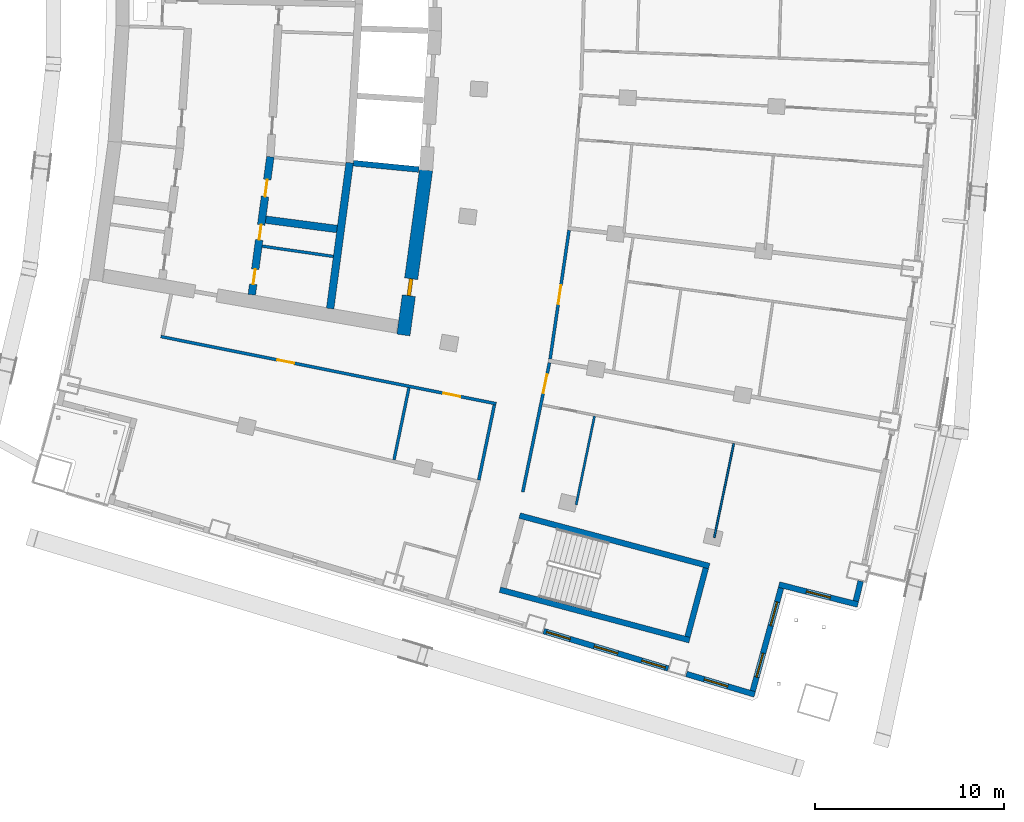
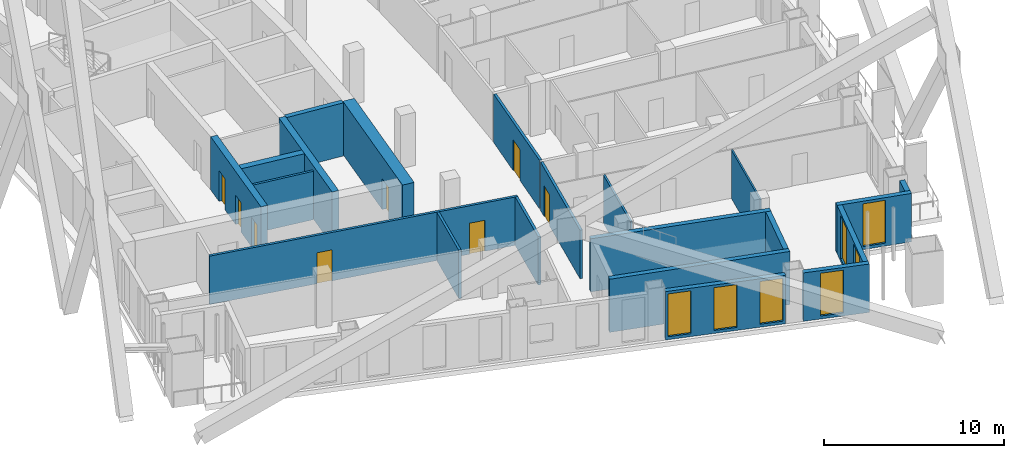
# One storey, part 12 of 22: 21 walls, 8 doors, 7 windows, 15 openings.
"""IFC4 building model written with IfcOpenShell, lengths in metres."""

import ifcopenshell
import ifcopenshell.guid

model = None  # the IFC model being written
_history = None  # IfcOwnerHistory: only IFC2X3 demands one
_inside = {}  # id of a spatial element -> (the spatial element, [elements in it])
_under = {}  # id of a project, library or spatial element -> (it, [spatial elements below it])
_declared = {}  # id of a project -> (the project, [libraries it declares])
_typed = {}  # id of a type object -> (the type object, [elements of that type])
_made_of = {}  # id of a material, layer set ... -> (it, [elements and type objects made of it])


def new_model(schema):
    """Start an empty IFC model of exactly this schema.

    Asked for "IFC4X3", IfcOpenShell would pick the latest addendum, in which some entities
    have other attributes; the version numbers below select the first issue.
    IFC2X3 requires an IfcOwnerHistory on every rooted entity: one is made here for all.
    """
    global model, _history
    if schema == "IFC4X3":
        model = ifcopenshell.file(schema_version=(4, 3, 0, 0))
    else:
        model = ifcopenshell.file(schema=schema)
    _inside.clear()
    _under.clear()
    _declared.clear()
    _typed.clear()
    _made_of.clear()
    _history = None
    if model.schema == "IFC2X3":
        org = make("IfcOrganization", Name="unknown")
        user = make(
            "IfcPersonAndOrganization",
            ThePerson=make("IfcPerson", FamilyName="unknown"),
            TheOrganization=org,
        )
        app = make(
            "IfcApplication",
            ApplicationDeveloper=org,
            Version="unknown",
            ApplicationFullName="unknown",
            ApplicationIdentifier="unknown",
        )
        _history = make(
            "IfcOwnerHistory",
            OwningUser=user,
            OwningApplication=app,
            ChangeAction="ADDED",
            CreationDate=0,
        )
    return model


def make(cls, **values):
    """One entity of the class cls with the attributes given. An attribute that is None is left unset."""
    return model.create_entity(
        cls, **{name: value for name, value in values.items() if value is not None}
    )


def rooted(cls, **values):
    """An entity with a GlobalId (a new one), such as an element, a storey or a relation."""
    return make(cls, GlobalId=ifcopenshell.guid.new(), OwnerHistory=_history, **values)


def si_unit(unit_type, name, prefix=None):
    """IfcSIUnit, for example si_unit("LENGTHUNIT", "METRE", prefix="MILLI")."""
    return make("IfcSIUnit", UnitType=unit_type, Prefix=prefix, Name=name)


def assignment(units):
    """IfcUnitAssignment: the units of a project."""
    return None if units is None else make("IfcUnitAssignment", Units=units)


def point(xyz):
    """IfcCartesianPoint."""
    return None if xyz is None else make("IfcCartesianPoint", Coordinates=xyz)


def direction(xyz):
    """IfcDirection."""
    return None if xyz is None else make("IfcDirection", DirectionRatios=xyz)


def frame(location, z_axis=None, x_axis=None):
    """IfcAxis2Placement3D, a coordinate frame: its origin and axes. An axis left out is left unset."""
    return make(
        "IfcAxis2Placement3D",
        Location=point(location),
        Axis=direction(z_axis),
        RefDirection=direction(x_axis),
    )


def frame_2d(location, x_axis=None):
    """IfcAxis2Placement2D, a coordinate frame in the plane: its origin and x axis."""
    return make(
        "IfcAxis2Placement2D", Location=point(location), RefDirection=direction(x_axis)
    )


def origin():
    """The frame at (0, 0, 0) with its axes left unset."""
    return frame((0.0, 0.0, 0.0))


def place(relative_to, where):
    """IfcLocalPlacement: puts the frame where relative to a parent placement (None: the world)."""
    return make(
        "IfcLocalPlacement", PlacementRelTo=relative_to, RelativePlacement=where
    )


def context(
    kind, dimensions, precision=None, world=None, true_north=None, identifier=None
):
    """IfcGeometricRepresentationContext, for example the 3D "Model" context."""
    return make(
        "IfcGeometricRepresentationContext",
        ContextIdentifier=identifier,
        ContextType=kind,
        CoordinateSpaceDimension=dimensions,
        Precision=precision,
        WorldCoordinateSystem=world,
        TrueNorth=true_north,
    )


def subcontext(parent, identifier, kind, view, scale=None):
    """IfcGeometricRepresentationSubContext, for example "Body" below "Model"."""
    return make(
        "IfcGeometricRepresentationSubContext",
        ContextIdentifier=identifier,
        ContextType=kind,
        ParentContext=parent,
        TargetScale=scale,
        TargetView=view,
    )


def project(units=None, contexts=None):
    """IfcProject with its units and contexts."""
    return rooted(
        "IfcProject",
        Name="project",
        RepresentationContexts=contexts,
        UnitsInContext=assignment(units),
    )


def spatial(cls, under=None, at=None, **own):
    """A site, building, storey or space (cls), placed at a placement, below another one or the project."""
    s = rooted(cls, ObjectPlacement=at, **own)
    if under is not None:
        _under.setdefault(under.id(), (under, []))[1].append(s)
    return s


def profile(cls, at=None, kind="AREA", **sizes):
    """A parametric profile (cls). Its sizes go by their IFC names, for example OverallWidth=200.0."""
    return make(cls, ProfileType=kind, Position=at, **sizes)


def rectangle(**sizes):
    """IfcRectangleProfileDef."""
    return profile("IfcRectangleProfileDef", **sizes)


def extrude(swept, where, along, depth):
    """IfcExtrudedAreaSolid: the profile swept, set in the frame where, extruded along a direction by depth."""
    return make(
        "IfcExtrudedAreaSolid",
        SweptArea=swept,
        Position=where,
        ExtrudedDirection=direction(along),
        Depth=depth,
    )


def shape(context_of_items, identifier, shape_type, items):
    """IfcShapeRepresentation: the items that make up one representation, for example the "Body"."""
    return make(
        "IfcShapeRepresentation",
        ContextOfItems=context_of_items,
        RepresentationIdentifier=identifier,
        RepresentationType=shape_type,
        Items=items,
    )


def material(Name=None, Category=None):
    """IfcMaterial."""
    return make("IfcMaterial", Name=Name, Category=Category)


def layer(
    of_material, thickness, ventilated=None, Name=None, Category=None, Priority=None
):
    """IfcMaterialLayer: one layer of a wall or slab, of a material (None: an air gap)."""
    return make(
        "IfcMaterialLayer",
        Material=of_material,
        LayerThickness=thickness,
        IsVentilated=ventilated,
        Name=Name,
        Category=Category,
        Priority=Priority,
    )


def layer_set(layers, Name=None):
    """IfcMaterialLayerSet."""
    return make("IfcMaterialLayerSet", MaterialLayers=layers, LayerSetName=Name)


def made_of(thing, what):
    """Note that an element or type object is made of a material, layer set ...; save() writes the relation."""
    if what is not None:
        _made_of.setdefault(what.id(), (what, []))[1].append(thing)
    return thing


def type_object(cls, material=None, **own):
    """A type object (cls), such as IfcWallType, which elements share."""
    return made_of(rooted(cls, **own), material)


def element(
    cls,
    number,
    at=None,
    inside=None,
    cuts=None,
    type_object=None,
    material=None,
    context=None,
    identifier="Body",
    shape_type=None,
    held_by="IfcProductDefinitionShape",
    body=None,
    shapes=None,
    **own,
):
    """One element of the class cls, such as IfcWall. Its Tag is "e" and its number.

    at: its placement. inside: the storey or other place that contains it. cuts: it is an
    opening in that element (IfcRelVoidsElement). A single representation is given by context,
    identifier, shape_type and body (its items); several are given by shapes. held_by: the class
    of the entity that holds the representations. save() writes the other relations.
    """
    e = rooted(cls, Tag="e%d" % number, ObjectPlacement=at, **own)
    if body is not None:
        shapes = [shape(context, identifier, shape_type, body)]
    if shapes is not None:
        e.Representation = make(held_by, Representations=shapes)
    if inside is not None:
        _inside.setdefault(inside.id(), (inside, []))[1].append(e)
    if cuts is not None:
        rooted(
            "IfcRelVoidsElement", RelatingBuildingElement=cuts, RelatedOpeningElement=e
        )
    if type_object is not None:
        _typed.setdefault(type_object.id(), (type_object, []))[1].append(e)
    return made_of(e, material)


def fill(opening, filler):
    """IfcRelFillsElement: the door or window that sits in an opening."""
    return rooted(
        "IfcRelFillsElement",
        RelatingOpeningElement=opening,
        RelatedBuildingElement=filler,
    )


def aggregate(whole, parts):
    """IfcRelAggregates: a whole, such as a stair, and the parts it consists of."""
    return rooted("IfcRelAggregates", RelatingObject=whole, RelatedObjects=parts)


def save(model, path):
    """Write the relations noted so far, then the file.

    IfcRelAggregates (storeys below a building ...), IfcRelContainedInSpatialStructure (elements
    in a storey), IfcRelDefinesByType, IfcRelAssociatesMaterial and IfcRelDeclares: one each for
    every whole, place, type object, material and project.
    """
    for whole, parts in _under.values():
        aggregate(whole, parts)
    for where, things in _inside.values():
        rooted(
            "IfcRelContainedInSpatialStructure",
            RelatedElements=things,
            RelatingStructure=where,
        )
    for kind, things in _typed.values():
        rooted("IfcRelDefinesByType", RelatedObjects=things, RelatingType=kind)
    for what, things in _made_of.values():
        rooted("IfcRelAssociatesMaterial", RelatedObjects=things, RelatingMaterial=what)
    for by, libraries in _declared.values():
        rooted("IfcRelDeclares", RelatingContext=by, RelatedDefinitions=libraries)
    model.write(path)


model = new_model("IFC4")

# Units and contexts
model_context = context("Model", 3, precision=1e-05, world=origin(), true_north=direction((0.0, 1.0)))
body_context = subcontext(model_context, "Body", "Model", "MODEL_VIEW")
ifc_project = project(units=[si_unit("LENGTHUNIT", "METRE"), si_unit("AREAUNIT", "SQUARE_METRE"), si_unit("VOLUMEUNIT", "CUBIC_METRE"), si_unit("PLANEANGLEUNIT", "RADIAN"), si_unit("MASSUNIT", "GRAM", prefix="KILO")], contexts=[model_context])

# Site, building, storey
site_placement = place(None, origin())
site = spatial("IfcSite", under=ifc_project, at=site_placement, CompositionType="ELEMENT")
building_placement = place(site_placement, origin())
building = spatial("IfcBuilding", under=site, at=building_placement, Name="Alderwake Tower", CompositionType="ELEMENT")
storey_placement = place(building_placement, frame((0.0, 0.0, 160.39990234375)))
storey = spatial("IfcBuildingStorey", under=building, at=storey_placement, Name="L39", CompositionType="ELEMENT", Elevation=160.39990234375)

# Wall
ifc_material_1 = material(Name="Gypsum shaft wall system, rated")
ifc_layer_1 = layer(ifc_material_1, 0.14990234375)
ifc_layer_set_1 = layer_set([ifc_layer_1], Name="Core room partition 150")
wall_type_1 = type_object("IfcWallType", Name="Core room partition 150", PredefinedType="PARTITIONING", material=ifc_layer_set_1)
wall_1_placement = place(storey_placement, frame((24.160400390625, 45.95556640625, 0.0), z_axis=(0.0, 0.0, 1.0), x_axis=(0.989733513529, -0.142925057975, 0.0)))
element("IfcWall", 1, at=wall_1_placement, inside=storey, type_object=wall_type_1, Name="CW/L39/PR-150_+86", PredefinedType="PARTITIONING", context=body_context, shape_type="SweptSolid", body=[
    extrude(rectangle(XDim=3.795654296875, YDim=0.14990234375, at=frame_2d((1.89794921875, 0.0))), origin(), (0.0, 0.0, 1.0), 3.280029296875),
])

# Wall, opening, door
ifc_material_2 = material(Name="Concrete C70/85", Category="concrete")
ifc_layer_2 = layer(ifc_material_2, 0.699951171875)
ifc_layer_set_2 = layer_set([ifc_layer_2], Name="Core wall outer 700 C70-85")
wall_type_2 = type_object("IfcWallType", Name="Core wall outer 700 C70-85", PredefinedType="SHEAR", material=ifc_layer_set_2)
wall_2_placement = place(storey_placement, frame((32.81298828125, 49.97412109375, 0.0), z_axis=(0.0, 0.0, 1.0), x_axis=(-0.135835706655, -0.99073137671, 0.0)))
wall_2 = element("IfcWall", 2, at=wall_2_placement, inside=storey, type_object=wall_type_2, Name="Core wall CW.012", PredefinedType="SHEAR", context=body_context, shape_type="SweptSolid", body=[
    extrude(rectangle(XDim=8.790771484375, YDim=0.699951171875, at=frame_2d((4.3955078125, 0.0))), origin(), (0.0, 0.0, 1.0), 3.60009765625),
])
opening_1_placement = place(wall_2_placement, frame((5.79443359375, 0.0, 0.0)))
opening_1 = element("IfcOpeningElement", 3, at=opening_1_placement, cuts=wall_2, Name="Opening C060", PredefinedType="OPENING", context=body_context, shape_type="SweptSolid", body=[
    extrude(rectangle(XDim=0.89990234375, YDim=2.10009765625, at=frame_2d((0.449951171875, 1.050048828125))), frame((0.0, 0.35986328125, 0.0), z_axis=(0.0, -1.0, 0.0), x_axis=(1.0, 0.0, 0.0)), (0.0, 0.0, 1.0), 0.719970703125),
])
ifc_material_3 = material(Name="Painted steel leaf", Category="steel")
door_type_1 = type_object("IfcDoorType", Name="Core room door 900", OperationType="SINGLE_SWING_LEFT", PredefinedType="DOOR", material=ifc_material_3)
door_1_placement = place(opening_1_placement, origin())
door_1 = element("IfcDoor", 4, at=door_1_placement, inside=storey, type_object=door_type_1, Name="Room door", OperationType="SINGLE_SWING_RIGHT", OverallHeight=2.10009765625, OverallWidth=0.89990234375, PredefinedType="DOOR", context=body_context, shape_type="SweptSolid", body=[
    extrude(rectangle(XDim=0.89990234375, YDim=2.10009765625, at=frame_2d((0.449951171875, 1.050048828125))), frame((0.0, 0.10009765625, 0.0), z_axis=(0.0, -1.0, 0.0), x_axis=(1.0, 0.0, 0.0)), (0.0, 0.0, 1.0), 0.199951171875),
])
fill(opening_1, door_1)

# Wall
ifc_material_4 = material(Name="Concrete C70/85", Category="concrete")
ifc_layer_3 = layer(ifc_material_4, 0.300048828125)
ifc_layer_set_3 = layer_set([ifc_layer_3], Name="Core wall shaft 300 C70-85")
wall_type_3 = type_object("IfcWallType", Name="Core wall shaft 300 C70-85", PredefinedType="SHEAR", material=ifc_layer_set_3)
wall_3_placement = place(storey_placement, frame((28.9794921875, 50.336181640625, 0.0), z_axis=(0.0, 0.0, 1.0), x_axis=(0.995247396058, -0.097378748402, 0.0)))
element("IfcWall", 5, at=wall_3_placement, inside=storey, type_object=wall_type_3, Name="Core wall CW.064", PredefinedType="SHEAR", context=body_context, shape_type="SweptSolid", body=[
    extrude(rectangle(XDim=3.469970703125, YDim=0.300048828125, at=frame_2d((1.73486328125, 0.0))), origin(), (0.0, 0.0, 1.0), 3.60009765625),
])

# Wall, openings, doors
ifc_material_5 = material(Name="Concrete C70/85", Category="concrete")
ifc_layer_4 = layer(ifc_material_5, 0.39990234375)
ifc_layer_set_4 = layer_set([ifc_layer_4], Name="Core wall spine 400 C70-85")
wall_type_4 = type_object("IfcWallType", Name="Core wall spine 400 C70-85", PredefinedType="SHEAR", material=ifc_layer_set_4)
wall_4_placement = place(storey_placement, frame((23.6142578125, 43.390869140625, 0.0), z_axis=(0.0, 0.0, 1.0), x_axis=(0.133023466616, 0.991112888287, 0.0)))
wall_4 = element("IfcWall", 6, at=wall_4_placement, inside=storey, type_object=wall_type_4, Name="Core wall CW.047", PredefinedType="SHEAR", context=body_context, shape_type="SweptSolid", body=[
    extrude(rectangle(XDim=7.3466796875, YDim=0.39990234375, at=frame_2d((3.67333984375, 0.0))), origin(), (0.0, 0.0, 1.0), 3.60009765625),
])
opening_2_placement = place(wall_4_placement, frame((0.557861328125, 0.0, 0.0)))
opening_2 = element("IfcOpeningElement", 7, at=opening_2_placement, cuts=wall_4, Name="Opening C015", PredefinedType="OPENING", context=body_context, shape_type="SweptSolid", body=[
    extrude(rectangle(XDim=0.800048828125, YDim=2.0, at=frame_2d((0.39990234375, 1.0))), frame((0.0, 0.2099609375, 0.0), z_axis=(0.0, -1.0, 0.0), x_axis=(1.0, 0.0, 0.0)), (0.0, 0.0, 1.0), 0.419921875),
])
opening_3_placement = place(wall_4_placement, frame((2.91943359375, 0.0, 0.0)))
opening_3 = element("IfcOpeningElement", 8, at=opening_3_placement, cuts=wall_4, Name="Opening C019", PredefinedType="OPENING", context=body_context, shape_type="SweptSolid", body=[
    extrude(rectangle(XDim=0.800048828125, YDim=2.0, at=frame_2d((0.39990234375, 1.0))), frame((0.0, 0.2099609375, 0.0), z_axis=(0.0, -1.0, 0.0), x_axis=(1.0, 0.0, 0.0)), (0.0, 0.0, 1.0), 0.419921875),
])
opening_4_placement = place(wall_4_placement, frame((5.231201171875, 0.0, 0.0)))
opening_4 = element("IfcOpeningElement", 9, at=opening_4_placement, cuts=wall_4, Name="Opening C045", PredefinedType="OPENING", context=body_context, shape_type="SweptSolid", body=[
    extrude(rectangle(XDim=0.89990234375, YDim=2.10009765625, at=frame_2d((0.449951171875, 1.050048828125))), frame((0.0, 0.2099609375, 0.0), z_axis=(0.0, -1.0, 0.0), x_axis=(1.0, 0.0, 0.0)), (0.0, 0.0, 1.0), 0.419921875),
])
door_2_placement = place(opening_4_placement, origin())
door_2 = element("IfcDoor", 10, at=door_2_placement, inside=storey, type_object=door_type_1, Name="Room door", OperationType="SINGLE_SWING_LEFT", OverallHeight=2.10009765625, OverallWidth=0.89990234375, PredefinedType="DOOR", context=body_context, shape_type="SweptSolid", body=[
    extrude(rectangle(XDim=0.89990234375, YDim=2.10009765625, at=frame_2d((0.449951171875, 1.050048828125))), frame((0.0, 0.02490234375, 0.0), z_axis=(0.0, -1.0, 0.0), x_axis=(1.0, 0.0, 0.0)), (0.0, 0.0, 1.0), 0.050048828125),
])
fill(opening_4, door_2)
ifc_material_6 = material(Name="Painted steel leaf, rated", Category="steel")
door_type_2 = type_object("IfcDoorType", Name="Riser access door 800", OperationType="SINGLE_SWING_LEFT", PredefinedType="DOOR", material=ifc_material_6)
door_3_placement = place(opening_2_placement, origin())
door_3 = element("IfcDoor", 11, at=door_3_placement, inside=storey, type_object=door_type_2, Name="Riser access door", OperationType="SINGLE_SWING_LEFT", OverallHeight=2.0, OverallWidth=0.800048828125, PredefinedType="DOOR", context=body_context, shape_type="SweptSolid", body=[
    extrude(rectangle(XDim=0.800048828125, YDim=2.0, at=frame_2d((0.39990234375, 1.0))), frame((0.0, 0.02490234375, 0.0), z_axis=(0.0, -1.0, 0.0), x_axis=(1.0, 0.0, 0.0)), (0.0, 0.0, 1.0), 0.050048828125),
])
fill(opening_2, door_3)
door_4_placement = place(opening_3_placement, origin())
door_4 = element("IfcDoor", 12, at=door_4_placement, inside=storey, type_object=door_type_2, Name="Riser access door", OperationType="SINGLE_SWING_RIGHT", OverallHeight=2.0, OverallWidth=0.800048828125, PredefinedType="DOOR", context=body_context, shape_type="SweptSolid", body=[
    extrude(rectangle(XDim=0.800048828125, YDim=2.0, at=frame_2d((0.39990234375, 1.0))), frame((0.0, 0.02490234375, 0.0), z_axis=(0.0, -1.0, 0.0), x_axis=(1.0, 0.0, 0.0)), (0.0, 0.0, 1.0), 0.050048828125),
])
fill(opening_3, door_4)

# Walls
wall_5_placement = place(storey_placement, frame((27.750244140625, 42.65966796875, 0.0), z_axis=(0.0, 0.0, 1.0), x_axis=(0.132678066825, 0.991159185289, 0.0)))
element("IfcWall", 13, at=wall_5_placement, inside=storey, type_object=wall_type_4, Name="Core wall CW.006", PredefinedType="SHEAR", context=body_context, shape_type="SweptSolid", body=[
    extrude(rectangle(XDim=7.7724609375, YDim=0.39990234375, at=frame_2d((3.88623046875, 0.0))), origin(), (0.0, 0.0, 1.0), 3.60009765625),
])
wall_6_placement = place(storey_placement, frame((24.347900390625, 47.35205078125, 0.0), z_axis=(0.0, 0.0, 1.0), x_axis=(0.991552989286, -0.12970223374, 0.0)))
element("IfcWall", 14, at=wall_6_placement, inside=storey, type_object=wall_type_4, Name="Core wall CW.069", PredefinedType="SHEAR", context=body_context, shape_type="SweptSolid", body=[
    extrude(rectangle(XDim=3.794677734375, YDim=0.39990234375, at=frame_2d((1.8974609375, 0.0))), origin(), (0.0, 0.0, 1.0), 3.60009765625),
])
ifc_material_7 = material(Name="Concrete C70/85", Category="concrete")
ifc_layer_5 = layer(ifc_material_7, 0.300048828125)
ifc_layer_set_5 = layer_set([ifc_layer_5], Name="Core wall stair enclosure 300 C70-85")
wall_type_5 = type_object("IfcWallType", Name="Core wall stair enclosure 300 C70-85", PredefinedType="SHEAR", material=ifc_layer_set_5)
for number, where, z_axis, x_axis, name in (
    (15, (37.75390625, 31.731201171875, 0.0), (0.0, 0.0, 1.0), (0.966309214305, -0.257383958996, 0.0), "Core wall CW.086"),
    (16, (36.71142578125, 27.817626953125, 0.0), (0.0, 0.0, 1.0), (0.966309214305, -0.257383958996, 0.0), "Core wall CW.088"),
):
    element("IfcWall", number, at=place(storey_placement, frame(where, z_axis=z_axis, x_axis=x_axis)), inside=storey, type_object=wall_type_5, Name=name, PredefinedType="SHEAR", context=body_context, shape_type="SweptSolid", body=[
        extrude(rectangle(XDim=10.360107421875, YDim=0.300048828125, at=frame_2d((5.18017578125, 0.0))), origin(), (0.0, 0.0, 1.0), 3.60009765625),
    ])
wall_7_placement = place(storey_placement, frame((46.6162109375, 25.334716796875, 0.0), z_axis=(0.0, 0.0, 1.0), x_axis=(0.257366821694, 0.966313778796, 0.0)))
element("IfcWall", 17, at=wall_7_placement, inside=storey, type_object=wall_type_5, Name="Core wall CW.085", PredefinedType="SHEAR", context=body_context, shape_type="SweptSolid", body=[
    extrude(rectangle(XDim=3.749755859375, YDim=0.300048828125, at=frame_2d((1.875, 0.0))), origin(), (0.0, 0.0, 1.0), 3.60009765625),
])

# Wall, openings, doors
ifc_material_8 = material(Name="Gypsum board on metal studs, rated")
ifc_layer_6 = layer(ifc_material_8, 0.159912109375)
ifc_layer_set_6 = layer_set([ifc_layer_6], Name="Corridor wall 160")
wall_type_6 = type_object("IfcWallType", Name="Corridor wall 160", PredefinedType="PARTITIONING", material=ifc_layer_set_6)
wall_8_placement = place(storey_placement, frame((36.513427734375, 37.63427734375, 0.0), z_axis=(0.0, 0.0, 1.0), x_axis=(-0.980470254867, 0.1966674333, 0.0)))
wall_8 = element("IfcWall", 18, at=wall_8_placement, inside=storey, type_object=wall_type_6, Name="WL/L39/W12", PredefinedType="PARTITIONING", context=body_context, shape_type="SweptSolid", body=[
    extrude(rectangle(XDim=18.053466796875, YDim=0.159912109375, at=frame_2d((9.02685546875, 0.0))), origin(), (0.0, 0.0, 1.0), 3.280029296875),
])
opening_5_placement = place(wall_8_placement, frame((10.876708984375, 0.0, 0.0)))
opening_5 = element("IfcOpeningElement", 19, at=opening_5_placement, cuts=wall_8, Name="Opening R11-SBS1", PredefinedType="OPENING", context=body_context, shape_type="SweptSolid", body=[
    extrude(rectangle(XDim=0.89990234375, YDim=2.10009765625, at=frame_2d((0.449951171875, 1.050048828125))), frame((0.0, 0.08984375, 0.0), z_axis=(0.0, -1.0, 0.0), x_axis=(1.0, 0.0, 0.0)), (0.0, 0.0, 1.0), 0.179931640625),
])
opening_6_placement = place(wall_8_placement, frame((1.9306640625, 0.0, 0.0)))
opening_6 = element("IfcOpeningElement", 20, at=opening_6_placement, cuts=wall_8, Name="Opening R11-SBS2", PredefinedType="OPENING", context=body_context, shape_type="SweptSolid", body=[
    extrude(rectangle(XDim=0.89990234375, YDim=2.10009765625, at=frame_2d((0.449951171875, 1.050048828125))), frame((0.0, 0.08984375, 0.0), z_axis=(0.0, -1.0, 0.0), x_axis=(1.0, 0.0, 0.0)), (0.0, 0.0, 1.0), 0.179931640625),
])
ifc_material_9 = material(Name="Painted timber leaf", Category="wood")
door_type_3 = type_object("IfcDoorType", Name="Room door 900", OperationType="SINGLE_SWING_LEFT", PredefinedType="DOOR", material=ifc_material_9)
door_5_placement = place(opening_5_placement, origin())
door_5 = element("IfcDoor", 21, at=door_5_placement, inside=storey, type_object=door_type_3, Name="DR/L39/SBS1", OperationType="SINGLE_SWING_LEFT", OverallHeight=2.10009765625, OverallWidth=0.89990234375, PredefinedType="DOOR", context=body_context, shape_type="SweptSolid", body=[
    extrude(rectangle(XDim=0.89990234375, YDim=2.10009765625, at=frame_2d((0.449951171875, 1.050048828125))), frame((0.0, 0.02490234375, 0.0), z_axis=(0.0, -1.0, 0.0), x_axis=(1.0, 0.0, 0.0)), (0.0, 0.0, 1.0), 0.050048828125),
])
fill(opening_5, door_5)
door_6_placement = place(opening_6_placement, origin())
door_6 = element("IfcDoor", 22, at=door_6_placement, inside=storey, type_object=door_type_3, Name="DR/L39/SBS2", OperationType="SINGLE_SWING_LEFT", OverallHeight=2.10009765625, OverallWidth=0.89990234375, PredefinedType="DOOR", context=body_context, shape_type="SweptSolid", body=[
    extrude(rectangle(XDim=0.89990234375, YDim=2.10009765625, at=frame_2d((0.449951171875, 1.050048828125))), frame((0.0, 0.02490234375, 0.0), z_axis=(0.0, -1.0, 0.0), x_axis=(1.0, 0.0, 0.0)), (0.0, 0.0, 1.0), 0.050048828125),
])
fill(opening_6, door_6)

# Wall
wall_9_placement = place(storey_placement, frame((36.418701171875, 37.57177734375, 0.0), z_axis=(0.0, 0.0, 1.0), x_axis=(-0.203245920818, -0.979127721838, 0.0)))
element("IfcWall", 23, at=wall_9_placement, inside=storey, type_object=wall_type_6, Name="WL/L39/W18", PredefinedType="PARTITIONING", context=body_context, shape_type="SweptSolid", body=[
    extrude(rectangle(XDim=4.046875, YDim=0.159912109375, at=frame_2d((2.0234375, 0.0))), origin(), (0.0, 0.0, 1.0), 3.280029296875),
])

# Wall, opening, door
wall_10_placement = place(storey_placement, frame((39.32763671875, 39.799072265625, 0.0), z_axis=(0.0, 0.0, 1.0), x_axis=(-0.202466556983, -0.979289177569, 0.0)))
wall_10 = element("IfcWall", 24, at=wall_10_placement, inside=storey, type_object=wall_type_6, Name="WL/L39/W20", PredefinedType="PARTITIONING", context=body_context, shape_type="SweptSolid", body=[
    extrude(rectangle(XDim=6.96728515625, YDim=0.159912109375, at=frame_2d((3.483642578125, 0.0))), origin(), (0.0, 0.0, 1.0), 3.280029296875),
])
opening_7_placement = place(wall_10_placement, frame((0.62744140625, 0.0, 0.0)))
opening_7 = element("IfcOpeningElement", 25, at=opening_7_placement, cuts=wall_10, Name="Opening R11-U03.2", PredefinedType="OPENING", context=body_context, shape_type="SweptSolid", body=[
    extrude(rectangle(XDim=1.0, YDim=2.10009765625, at=frame_2d((0.5, 1.050048828125))), frame((0.0, 0.08984375, 0.0), z_axis=(0.0, -1.0, 0.0), x_axis=(1.0, 0.0, 0.0)), (0.0, 0.0, 1.0), 0.179931640625),
])
ifc_material_10 = material(Name="Solid timber leaf in steel frame", Category="steel")
door_type_4 = type_object("IfcDoorType", Name="Flat entrance door 1000 fire-rated", OperationType="SINGLE_SWING_LEFT", PredefinedType="DOOR", material=ifc_material_10)
door_7_placement = place(opening_7_placement, origin())
door_7 = element("IfcDoor", 26, at=door_7_placement, inside=storey, type_object=door_type_4, Name="DR/L39/U03.2", OperationType="SINGLE_SWING_LEFT", OverallHeight=2.10009765625, OverallWidth=1.0, PredefinedType="DOOR", context=body_context, shape_type="SweptSolid", body=[
    extrude(rectangle(XDim=1.0, YDim=2.10009765625, at=frame_2d((0.5, 1.050048828125))), frame((0.0, 0.02490234375, 0.0), z_axis=(0.0, -1.0, 0.0), x_axis=(1.0, 0.0, 0.0)), (0.0, 0.0, 1.0), 0.050048828125),
])
fill(opening_7, door_7)

wall_11_placement = place(storey_placement, frame((40.3623046875, 46.7939453125, 0.0), z_axis=(0.0, 0.0, 1.0), x_axis=(-0.1455042199, -0.989357630987, 0.0)))
wall_11 = element("IfcWall", 27, at=wall_11_placement, inside=storey, type_object=wall_type_6, Name="WL/L39/W21", PredefinedType="PARTITIONING", context=body_context, shape_type="SweptSolid", body=[
    extrude(rectangle(XDim=6.87109375, YDim=0.159912109375, at=frame_2d((3.435546875, 0.0))), origin(), (0.0, 0.0, 1.0), 3.280029296875),
])
opening_8_placement = place(wall_11_placement, frame((2.935546875, 0.0, 0.0)))
opening_8 = element("IfcOpeningElement", 28, at=opening_8_placement, cuts=wall_11, Name="Opening R11-U04.2", PredefinedType="OPENING", context=body_context, shape_type="SweptSolid", body=[
    extrude(rectangle(XDim=1.0, YDim=2.10009765625, at=frame_2d((0.5, 1.050048828125))), frame((0.0, 0.08984375, 0.0), z_axis=(0.0, -1.0, 0.0), x_axis=(1.0, 0.0, 0.0)), (0.0, 0.0, 1.0), 0.179931640625),
])
door_8_placement = place(opening_8_placement, origin())
door_8 = element("IfcDoor", 29, at=door_8_placement, inside=storey, type_object=door_type_4, Name="DR/L39/U04.2", OperationType="SINGLE_SWING_LEFT", OverallHeight=2.10009765625, OverallWidth=1.0, PredefinedType="DOOR", context=body_context, shape_type="SweptSolid", body=[
    extrude(rectangle(XDim=1.0, YDim=2.10009765625, at=frame_2d((0.5, 1.050048828125))), frame((0.0, 0.02490234375, 0.0), z_axis=(0.0, -1.0, 0.0), x_axis=(1.0, 0.0, 0.0)), (0.0, 0.0, 1.0), 0.050048828125),
])
fill(opening_8, door_8)

# Wall
ifc_material_11 = material(Name="Precast concrete C50/60 spandrel panel", Category="concrete")
ifc_layer_7 = layer(ifc_material_11, 0.300048828125)
ifc_layer_set_7 = layer_set([ifc_layer_7], Name="External wall EW1 Precast concrete C50/60 spandrel")
wall_type_7 = type_object("IfcWallType", Name="External wall EW1 Precast concrete C50/60 spandrel", PredefinedType="SOLIDWALL", material=ifc_layer_set_7)
wall_12_placement = place(storey_placement, frame((55.49951171875, 27.217529296875, 0.0), z_axis=(0.0, 0.0, 1.0), x_axis=(0.238334101451, 0.971183224776, 0.0)))
element("IfcWall", 30, at=wall_12_placement, inside=storey, type_object=wall_type_7, Name="External wall 11", PredefinedType="SOLIDWALL", context=body_context, shape_type="SweptSolid", body=[
    extrude(rectangle(XDim=1.080810546875, YDim=0.300048828125, at=frame_2d((0.54052734375, 0.0))), origin(), (0.0, 0.0, 1.0), 3.280029296875),
])

# Wall, openings, windows
ifc_material_12 = material(Name="Bronze metal cladding on lightweight framing")
ifc_layer_8 = layer(ifc_material_12, 0.300048828125)
ifc_layer_set_8 = layer_set([ifc_layer_8], Name="External wall EW2 bronze metal cladding")
wall_type_8 = type_object("IfcWallType", Name="External wall EW2 bronze metal cladding", PredefinedType="SOLIDWALL", material=ifc_layer_set_8)
wall_13_placement = place(storey_placement, frame((39.023681640625, 25.631103515625, 0.0), z_axis=(0.0, 0.0, 1.0), x_axis=(0.957766538893, -0.287546964821, 0.0)))
wall_13 = element("IfcWall", 31, at=wall_13_placement, inside=storey, type_object=wall_type_8, Name="External wall 7", PredefinedType="SOLIDWALL", context=body_context, shape_type="SweptSolid", body=[
    extrude(rectangle(XDim=6.86279296875, YDim=0.300048828125, at=frame_2d((3.431396484375, 0.0))), origin(), (0.0, 0.0, 1.0), 3.280029296875),
])
opening_9_placement = place(wall_13_placement, frame((0.1591796875, 0.0, 0.199951171875)))
opening_9 = element("IfcOpeningElement", 32, at=opening_9_placement, cuts=wall_13, Name="Opening W1", PredefinedType="OPENING", context=body_context, shape_type="SweptSolid", body=[
    extrude(rectangle(XDim=1.300048828125, YDim=2.89990234375, at=frame_2d((0.64990234375, 1.449951171875))), frame((0.0, 0.159912109375, 0.0), z_axis=(0.0, -1.0, 0.0), x_axis=(1.0, 0.0, 0.0)), (0.0, 0.0, 1.0), 0.320068359375),
])
opening_10_placement = place(wall_13_placement, frame((2.781494140625, 0.0, 0.199951171875)))
opening_10 = element("IfcOpeningElement", 33, at=opening_10_placement, cuts=wall_13, Name="Opening W1", PredefinedType="OPENING", context=body_context, shape_type="SweptSolid", body=[
    extrude(rectangle(XDim=1.300048828125, YDim=2.89990234375, at=frame_2d((0.64990234375, 1.449951171875))), frame((0.0, 0.159912109375, 0.0), z_axis=(0.0, -1.0, 0.0), x_axis=(1.0, 0.0, 0.0)), (0.0, 0.0, 1.0), 0.320068359375),
])
opening_11_placement = place(wall_13_placement, frame((5.403564453125, 0.0, 0.199951171875)))
opening_11 = element("IfcOpeningElement", 34, at=opening_11_placement, cuts=wall_13, Name="Opening W1", PredefinedType="OPENING", context=body_context, shape_type="SweptSolid", body=[
    extrude(rectangle(XDim=1.300048828125, YDim=2.89990234375, at=frame_2d((0.64990234375, 1.449951171875))), frame((0.0, 0.159912109375, 0.0), z_axis=(0.0, -1.0, 0.0), x_axis=(1.0, 0.0, 0.0)), (0.0, 0.0, 1.0), 0.320068359375),
])
ifc_material_13 = material(Name="Bronze tinted glass in aluminium frame", Category="aluminium")
window_type = type_object("IfcWindowType", Name="Window W1 tall fixed and vent", PartitioningType="DOUBLE_PANEL_VERTICAL", PredefinedType="WINDOW", material=ifc_material_13)
window_1_placement = place(opening_9_placement, origin())
window_1 = element("IfcWindow", 35, at=window_1_placement, inside=storey, type_object=window_type, Name="Window W1 tall fixed and vent", OverallHeight=2.89990234375, OverallWidth=1.300048828125, PartitioningType="DOUBLE_PANEL_VERTICAL", PredefinedType="WINDOW", context=body_context, shape_type="SweptSolid", body=[
    extrude(rectangle(XDim=1.300048828125, YDim=2.89990234375, at=frame_2d((0.64990234375, 1.449951171875))), frame((0.0, 0.030029296875, 0.0), z_axis=(0.0, -1.0, 0.0), x_axis=(1.0, 0.0, 0.0)), (0.0, 0.0, 1.0), 0.06005859375),
])
fill(opening_9, window_1)
window_2_placement = place(opening_10_placement, origin())
window_2 = element("IfcWindow", 36, at=window_2_placement, inside=storey, type_object=window_type, Name="Window W1 tall fixed and vent", OverallHeight=2.89990234375, OverallWidth=1.300048828125, PartitioningType="DOUBLE_PANEL_VERTICAL", PredefinedType="WINDOW", context=body_context, shape_type="SweptSolid", body=[
    extrude(rectangle(XDim=1.300048828125, YDim=2.89990234375, at=frame_2d((0.64990234375, 1.449951171875))), frame((0.0, 0.030029296875, 0.0), z_axis=(0.0, -1.0, 0.0), x_axis=(1.0, 0.0, 0.0)), (0.0, 0.0, 1.0), 0.06005859375),
])
fill(opening_10, window_2)
window_3_placement = place(opening_11_placement, origin())
window_3 = element("IfcWindow", 37, at=window_3_placement, inside=storey, type_object=window_type, Name="Window W1 tall fixed and vent", OverallHeight=2.89990234375, OverallWidth=1.300048828125, PartitioningType="DOUBLE_PANEL_VERTICAL", PredefinedType="WINDOW", context=body_context, shape_type="SweptSolid", body=[
    extrude(rectangle(XDim=1.300048828125, YDim=2.89990234375, at=frame_2d((0.64990234375, 1.449951171875))), frame((0.0, 0.030029296875, 0.0), z_axis=(0.0, -1.0, 0.0), x_axis=(1.0, 0.0, 0.0)), (0.0, 0.0, 1.0), 0.06005859375),
])
fill(opening_11, window_3)

# Wall, opening, window
wall_14_placement = place(storey_placement, frame((46.55810546875, 23.369140625, 0.0), z_axis=(0.0, 0.0, 1.0), x_axis=(0.957765550003, -0.287550258611, 0.0)))
wall_14 = element("IfcWall", 38, at=wall_14_placement, inside=storey, type_object=wall_type_8, Name="External wall 8", PredefinedType="SOLIDWALL", context=body_context, shape_type="SweptSolid", body=[
    extrude(rectangle(XDim=3.762939453125, YDim=0.300048828125, at=frame_2d((1.88134765625, 0.0))), origin(), (0.0, 0.0, 1.0), 3.280029296875),
])
opening_12_placement = place(wall_14_placement, frame((0.98046875, 0.0, 0.199951171875)))
opening_12 = element("IfcOpeningElement", 39, at=opening_12_placement, cuts=wall_14, Name="Opening W1", PredefinedType="OPENING", context=body_context, shape_type="SweptSolid", body=[
    extrude(rectangle(XDim=1.300048828125, YDim=2.89990234375, at=frame_2d((0.64990234375, 1.449951171875))), frame((0.0, 0.159912109375, 0.0), z_axis=(0.0, -1.0, 0.0), x_axis=(1.0, 0.0, 0.0)), (0.0, 0.0, 1.0), 0.320068359375),
])
window_4_placement = place(opening_12_placement, origin())
window_4 = element("IfcWindow", 40, at=window_4_placement, inside=storey, type_object=window_type, Name="Window W1 tall fixed and vent", OverallHeight=2.89990234375, OverallWidth=1.300048828125, PartitioningType="DOUBLE_PANEL_VERTICAL", PredefinedType="WINDOW", context=body_context, shape_type="SweptSolid", body=[
    extrude(rectangle(XDim=1.300048828125, YDim=2.89990234375, at=frame_2d((0.64990234375, 1.449951171875))), frame((0.0, 0.030029296875, 0.0), z_axis=(0.0, -1.0, 0.0), x_axis=(1.0, 0.0, 0.0)), (0.0, 0.0, 1.0), 0.06005859375),
])
fill(opening_12, window_4)

# Wall, openings, windows
wall_15_placement = place(storey_placement, frame((50.05810546875, 22.474853515625, 0.0), z_axis=(0.0, 0.0, 1.0), x_axis=(0.2651041118, 0.96421979336, 0.0)))
wall_15 = element("IfcWall", 41, at=wall_15_placement, inside=storey, type_object=wall_type_8, Name="External wall 9", PredefinedType="SOLIDWALL", context=body_context, shape_type="SweptSolid", body=[
    extrude(rectangle(XDim=5.63427734375, YDim=0.300048828125, at=frame_2d((2.817138671875, 0.0))), origin(), (0.0, 0.0, 1.0), 3.280029296875),
])
opening_13_placement = place(wall_15_placement, frame((0.758544921875, 0.0, 0.199951171875)))
opening_13 = element("IfcOpeningElement", 42, at=opening_13_placement, cuts=wall_15, Name="Opening W1", PredefinedType="OPENING", context=body_context, shape_type="SweptSolid", body=[
    extrude(rectangle(XDim=1.300048828125, YDim=2.89990234375, at=frame_2d((0.64990234375, 1.449951171875))), frame((0.0, 0.159912109375, 0.0), z_axis=(0.0, -1.0, 0.0), x_axis=(1.0, 0.0, 0.0)), (0.0, 0.0, 1.0), 0.320068359375),
])
opening_14_placement = place(wall_15_placement, frame((3.57568359375, 0.0, 0.199951171875)))
opening_14 = element("IfcOpeningElement", 43, at=opening_14_placement, cuts=wall_15, Name="Opening W1", PredefinedType="OPENING", context=body_context, shape_type="SweptSolid", body=[
    extrude(rectangle(XDim=1.300048828125, YDim=2.89990234375, at=frame_2d((0.64990234375, 1.449951171875))), frame((0.0, 0.159912109375, 0.0), z_axis=(0.0, -1.0, 0.0), x_axis=(1.0, 0.0, 0.0)), (0.0, 0.0, 1.0), 0.320068359375),
])
window_5_placement = place(opening_13_placement, origin())
window_5 = element("IfcWindow", 44, at=window_5_placement, inside=storey, type_object=window_type, Name="Window W1 tall fixed and vent", OverallHeight=2.89990234375, OverallWidth=1.300048828125, PartitioningType="DOUBLE_PANEL_VERTICAL", PredefinedType="WINDOW", context=body_context, shape_type="SweptSolid", body=[
    extrude(rectangle(XDim=1.300048828125, YDim=2.89990234375, at=frame_2d((0.64990234375, 1.449951171875))), frame((0.0, 0.030029296875, 0.0), z_axis=(0.0, -1.0, 0.0), x_axis=(1.0, 0.0, 0.0)), (0.0, 0.0, 1.0), 0.06005859375),
])
fill(opening_13, window_5)
window_6_placement = place(opening_14_placement, origin())
window_6 = element("IfcWindow", 45, at=window_6_placement, inside=storey, type_object=window_type, Name="Window W1 tall fixed and vent", OverallHeight=2.89990234375, OverallWidth=1.300048828125, PartitioningType="DOUBLE_PANEL_VERTICAL", PredefinedType="WINDOW", context=body_context, shape_type="SweptSolid", body=[
    extrude(rectangle(XDim=1.300048828125, YDim=2.89990234375, at=frame_2d((0.64990234375, 1.449951171875))), frame((0.0, 0.030029296875, 0.0), z_axis=(0.0, -1.0, 0.0), x_axis=(1.0, 0.0, 0.0)), (0.0, 0.0, 1.0), 0.06005859375),
])
fill(opening_14, window_6)

# Wall, opening, window
wall_16_placement = place(storey_placement, frame((51.4462890625, 28.0888671875, 0.0), z_axis=(0.0, 0.0, 1.0), x_axis=(0.969425962264, -0.245383992325, 0.0)))
wall_16 = element("IfcWall", 46, at=wall_16_placement, inside=storey, type_object=wall_type_8, Name="External wall 10", PredefinedType="SOLIDWALL", context=body_context, shape_type="SweptSolid", body=[
    extrude(rectangle(XDim=4.294189453125, YDim=0.300048828125, at=frame_2d((2.14697265625, 0.0))), origin(), (0.0, 0.0, 1.0), 3.280029296875),
])
opening_15_placement = place(wall_16_placement, frame((1.4970703125, 0.0, 0.199951171875)))
opening_15 = element("IfcOpeningElement", 47, at=opening_15_placement, cuts=wall_16, Name="Opening W1", PredefinedType="OPENING", context=body_context, shape_type="SweptSolid", body=[
    extrude(rectangle(XDim=1.300048828125, YDim=2.89990234375, at=frame_2d((0.64990234375, 1.449951171875))), frame((0.0, 0.159912109375, 0.0), z_axis=(0.0, -1.0, 0.0), x_axis=(1.0, 0.0, 0.0)), (0.0, 0.0, 1.0), 0.320068359375),
])
window_7_placement = place(opening_15_placement, origin())
window_7 = element("IfcWindow", 48, at=window_7_placement, inside=storey, type_object=window_type, Name="Window W1 tall fixed and vent", OverallHeight=2.89990234375, OverallWidth=1.300048828125, PartitioningType="DOUBLE_PANEL_VERTICAL", PredefinedType="WINDOW", context=body_context, shape_type="SweptSolid", body=[
    extrude(rectangle(XDim=1.300048828125, YDim=2.89990234375, at=frame_2d((0.64990234375, 1.449951171875))), frame((0.0, 0.030029296875, 0.0), z_axis=(0.0, -1.0, 0.0), x_axis=(1.0, 0.0, 0.0)), (0.0, 0.0, 1.0), 0.06005859375),
])
fill(opening_15, window_7)

# Walls
ifc_material_14 = material(Name="Gypsum shaft wall system, rated")
ifc_layer_9 = layer(ifc_material_14, 0.14990234375)
ifc_layer_set_9 = layer_set([ifc_layer_9], Name="Riser and shaft wall 150")
wall_type_9 = type_object("IfcWallType", Name="Riser and shaft wall 150", PredefinedType="PARTITIONING", material=ifc_layer_set_9)
wall_17_placement = place(storey_placement, frame((31.120361328125, 34.67138671875, 0.0), z_axis=(0.0, 0.0, 1.0), x_axis=(0.203103989328, 0.979157173042, 0.0)))
element("IfcWall", 49, at=wall_17_placement, inside=storey, type_object=wall_type_9, Name="WL/L39/W06", PredefinedType="PARTITIONING", context=body_context, shape_type="SweptSolid", body=[
    extrude(rectangle(XDim=3.887451171875, YDim=0.14990234375, at=frame_2d((1.94384765625, 0.0))), origin(), (0.0, 0.0, 1.0), 3.280029296875),
])
ifc_material_15 = material(Name="Gypsum board on metal studs")
ifc_layer_10 = layer(ifc_material_15, 0.10009765625)
ifc_layer_set_10 = layer_set([ifc_layer_10], Name="Unit partition 100")
wall_type_10 = type_object("IfcWallType", Name="Unit partition 100", PredefinedType="PARTITIONING", material=ifc_layer_set_10)
wall_18_placement = place(storey_placement, frame((48.030029296875, 30.572998046875, 0.0), z_axis=(0.0, 0.0, 1.0), x_axis=(0.202876488764, 0.979204335319, 0.0)))
element("IfcWall", 50, at=wall_18_placement, inside=storey, type_object=wall_type_10, Name="WL/L39/W49", PredefinedType="PARTITIONING", context=body_context, shape_type="SweptSolid", body=[
    extrude(rectangle(XDim=5.06640625, YDim=0.10009765625, at=frame_2d((2.533203125, 0.0))), origin(), (0.0, 0.0, 1.0), 3.280029296875),
])
ifc_material_16 = material(Name="Moisture resistant gypsum board on metal studs")
ifc_layer_11 = layer(ifc_material_16, 0.1201171875)
ifc_layer_set_11 = layer_set([ifc_layer_11], Name="Wet room partition 120")
wall_type_11 = type_object("IfcWallType", Name="Wet room partition 120", PredefinedType="PARTITIONING", material=ifc_layer_set_11)
wall_19_placement = place(storey_placement, frame((40.737060546875, 32.303955078125, 0.0), z_axis=(0.0, 0.0, 1.0), x_axis=(0.202548156077, 0.979272303535, 0.0)))
element("IfcWall", 51, at=wall_19_placement, inside=storey, type_object=wall_type_11, Name="WL/L39/W33", PredefinedType="PARTITIONING", context=body_context, shape_type="SweptSolid", body=[
    extrude(rectangle(XDim=4.778076171875, YDim=0.1201171875, at=frame_2d((2.38916015625, 0.0))), origin(), (0.0, 0.0, 1.0), 3.280029296875),
])

save(model, "model.ifc")
